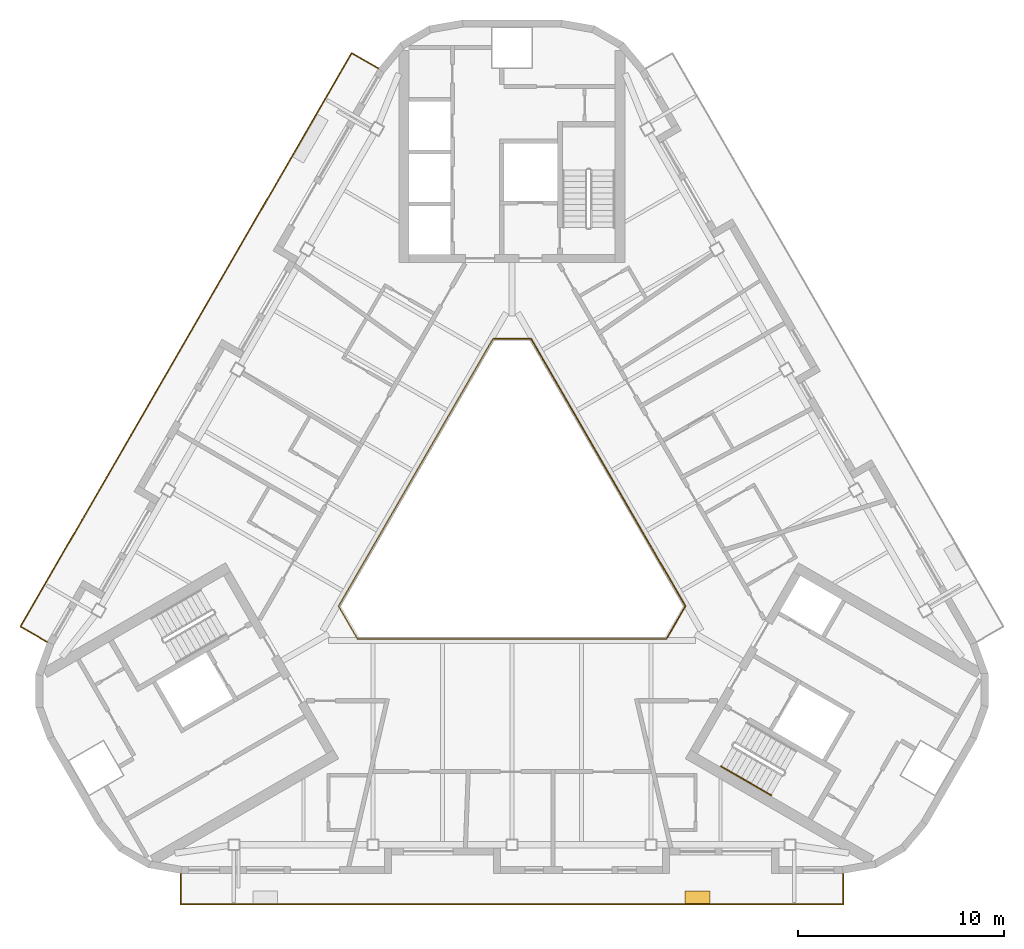
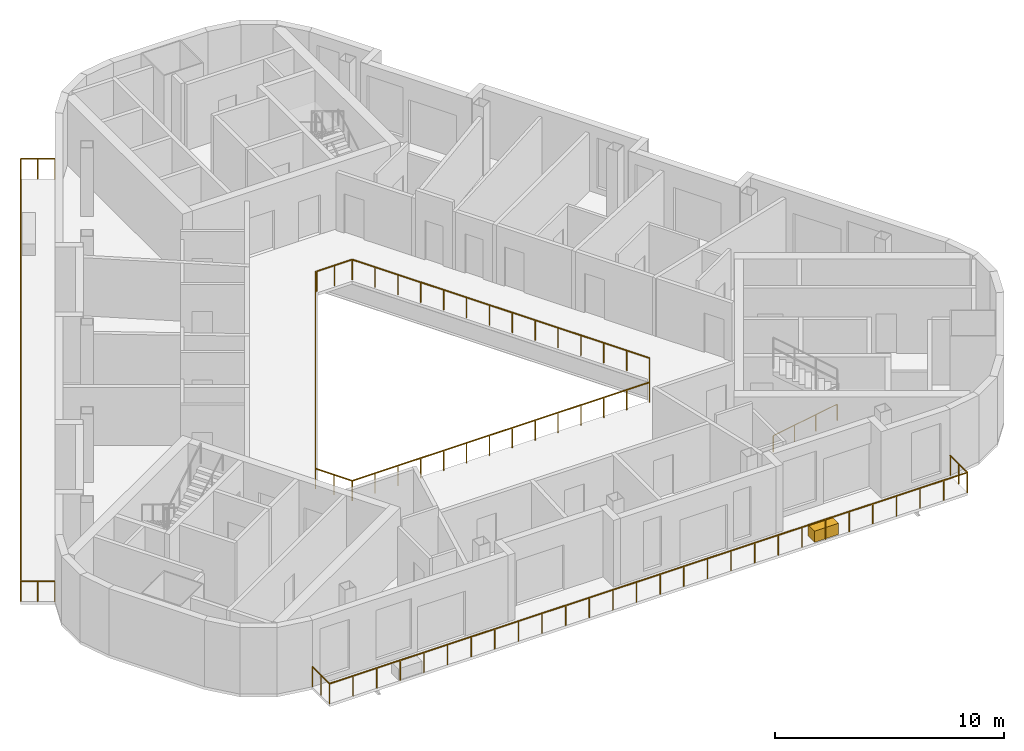
# One storey, part 10 of 12: 5 railings, 1 covering.
"""IFC4 building model written with IfcOpenShell, lengths in metres."""

from ifc_helpers import new_model, si_unit, direction, frame, origin, origin_2d, place, context, subcontext, project, spatial, rectangle, circle, extrude, material, type_object, element, save


model = new_model("IFC4")

# Units and contexts
model_context = context("Model", 3, precision=1e-05, world=origin(), true_north=direction((0.0, 1.0)))
body_context = subcontext(model_context, "Body", "Model", "MODEL_VIEW")
ifc_project = project(units=[si_unit("LENGTHUNIT", "METRE"), si_unit("AREAUNIT", "SQUARE_METRE"), si_unit("VOLUMEUNIT", "CUBIC_METRE"), si_unit("PLANEANGLEUNIT", "RADIAN"), si_unit("MASSUNIT", "GRAM", prefix="KILO")], contexts=[model_context])

# Site, building, storey
site_placement = place(None, origin())
site = spatial("IfcSite", under=ifc_project, at=site_placement, CompositionType="ELEMENT")
building_placement = place(site_placement, origin())
building = spatial("IfcBuilding", under=site, at=building_placement, Name="Apuvela Tower Hotel", CompositionType="ELEMENT")
storey_placement = place(building_placement, frame((0.0, 0.0, 305.89990234375)))
storey = spatial("IfcBuildingStorey", under=building, at=storey_placement, Name="L76", CompositionType="ELEMENT", Elevation=305.89990234375)

# Railings
ifc_material_1 = material(Name="Stainless steel 316 handrail", Category="steel")
railing_type_1 = type_object("IfcRailingType", Name="COR-HANDRAIL-900", PredefinedType="HANDRAIL", material=ifc_material_1)
railing_1_placement = place(storey_placement, frame((10.1689453125, -11.5869140625, 0.168212890625)))
element("IfcRailing", 1, at=railing_1_placement, inside=storey, type_object=railing_type_1, Name="L76 ST3 stair handrail 1", PredefinedType="HANDRAIL", context=body_context, shape_type="SweptSolid", body=[
    extrude(circle(Radius=0.02392578125, at=origin_2d()), frame((0.0, 0.0, 0.8759765625), z_axis=(0.742390482028, -0.42860119049, 0.514934356695), x_axis=(0.49998411664, 0.866034573852, 0.0)), (0.0, 0.0, 1.0), 3.26611328125),
    extrude(rectangle(XDim=0.0419921875, YDim=0.0419921875, at=origin_2d()), origin(), (0.0, 0.0, 1.0), 0.851806640625),
    extrude(rectangle(XDim=0.0419921875, YDim=0.0419921875, at=origin_2d()), frame((0.808349609375, -0.466552734375, 0.560546875)), (0.0, 0.0, 1.0), 0.851806640625),
    extrude(rectangle(XDim=0.0419921875, YDim=0.0419921875, at=origin_2d()), frame((1.616455078125, -0.933349609375, 1.121337890625)), (0.0, 0.0, 1.0), 0.851806640625),
    extrude(rectangle(XDim=0.0419921875, YDim=0.0419921875, at=origin_2d()), frame((2.4248046875, -1.39990234375, 1.681884765625)), (0.0, 0.0, 1.0), 0.851806640625),
])
ifc_material_2 = material(Name="Stainless steel 316 rail with laminated glass infill", Category="steel")
railing_type_2 = type_object("IfcRailingType", Name="ENV-GUARD-1100", PredefinedType="GUARDRAIL", material=ifc_material_2)
railing_2_placement = place(storey_placement, frame((-16.097900390625, -16.794677734375, 0.0)))
element("IfcRailing", 2, at=railing_2_placement, inside=storey, type_object=railing_type_2, Name="Balcony guard S L76", PredefinedType="GUARDRAIL", context=body_context, shape_type="SweptSolid", body=[
    extrude(rectangle(XDim=0.050048828125, YDim=0.050048828125, at=origin_2d()), frame((0.0, 0.0, 1.0751953125), z_axis=(0.0, -1.0, 0.0), x_axis=(1.0, 0.0, 0.0)), (0.0, 0.0, 1.0), 1.5),
    extrude(rectangle(XDim=0.050048828125, YDim=0.050048828125, at=origin_2d()), frame((0.0, -1.5, 1.0751953125), z_axis=(1.0, 0.0, 0.0), x_axis=(0.0, 1.0, 0.0)), (0.0, 0.0, 1.0), 32.19580078125),
    extrude(rectangle(XDim=0.050048828125, YDim=0.050048828125, at=origin_2d()), frame((32.19580078125, -1.5, 1.0751953125), z_axis=(0.0, 1.0, 0.0), x_axis=(-1.0, 0.0, 0.0)), (0.0, 0.0, 1.0), 1.5),
    extrude(rectangle(XDim=0.0400390625, YDim=0.0400390625, at=origin_2d()), origin(), (0.0, 0.0, 1.0), 1.050048828125),
    extrude(rectangle(XDim=0.0400390625, YDim=0.0400390625, at=origin_2d()), frame((0.0, -0.75, 0.0)), (0.0, 0.0, 1.0), 1.050048828125),
    extrude(rectangle(XDim=0.0400390625, YDim=0.0400390625, at=origin_2d()), frame((0.0, -1.5, 0.0)), (0.0, 0.0, 1.0), 1.050048828125),
    extrude(rectangle(XDim=0.0400390625, YDim=0.0400390625, at=origin_2d()), frame((1.1923828125, -1.5, 0.0)), (0.0, 0.0, 1.0), 1.050048828125),
    extrude(rectangle(XDim=0.0400390625, YDim=0.0400390625, at=origin_2d()), frame((2.384765625, -1.5, 0.0)), (0.0, 0.0, 1.0), 1.050048828125),
    extrude(rectangle(XDim=0.0400390625, YDim=0.0400390625, at=origin_2d()), frame((3.577392578125, -1.5, 0.0)), (0.0, 0.0, 1.0), 1.050048828125),
    extrude(rectangle(XDim=0.0400390625, YDim=0.0400390625, at=origin_2d()), frame((4.769775390625, -1.5, 0.0)), (0.0, 0.0, 1.0), 1.050048828125),
    extrude(rectangle(XDim=0.0400390625, YDim=0.0400390625, at=origin_2d()), frame((5.962158203125, -1.5, 0.0)), (0.0, 0.0, 1.0), 1.050048828125),
    extrude(rectangle(XDim=0.0400390625, YDim=0.0400390625, at=origin_2d()), frame((7.154541015625, -1.5, 0.0)), (0.0, 0.0, 1.0), 1.050048828125),
    extrude(rectangle(XDim=0.0400390625, YDim=0.0400390625, at=origin_2d()), frame((8.34716796875, -1.5, 0.0)), (0.0, 0.0, 1.0), 1.050048828125),
    extrude(rectangle(XDim=0.0400390625, YDim=0.0400390625, at=origin_2d()), frame((9.53955078125, -1.5, 0.0)), (0.0, 0.0, 1.0), 1.050048828125),
    extrude(rectangle(XDim=0.0400390625, YDim=0.0400390625, at=origin_2d()), frame((10.73193359375, -1.5, 0.0)), (0.0, 0.0, 1.0), 1.050048828125),
    extrude(rectangle(XDim=0.0400390625, YDim=0.0400390625, at=origin_2d()), frame((11.92431640625, -1.5, 0.0)), (0.0, 0.0, 1.0), 1.050048828125),
    extrude(rectangle(XDim=0.0400390625, YDim=0.0400390625, at=origin_2d()), frame((13.11669921875, -1.5, 0.0)), (0.0, 0.0, 1.0), 1.050048828125),
    extrude(rectangle(XDim=0.0400390625, YDim=0.0400390625, at=origin_2d()), frame((14.309326171875, -1.5, 0.0)), (0.0, 0.0, 1.0), 1.050048828125),
    extrude(rectangle(XDim=0.0400390625, YDim=0.0400390625, at=origin_2d()), frame((15.501708984375, -1.5, 0.0)), (0.0, 0.0, 1.0), 1.050048828125),
    extrude(rectangle(XDim=0.0400390625, YDim=0.0400390625, at=origin_2d()), frame((16.694091796875, -1.5, 0.0)), (0.0, 0.0, 1.0), 1.050048828125),
    extrude(rectangle(XDim=0.0400390625, YDim=0.0400390625, at=origin_2d()), frame((17.886474609375, -1.5, 0.0)), (0.0, 0.0, 1.0), 1.050048828125),
    extrude(rectangle(XDim=0.0400390625, YDim=0.0400390625, at=origin_2d()), frame((19.0791015625, -1.5, 0.0)), (0.0, 0.0, 1.0), 1.050048828125),
    extrude(rectangle(XDim=0.0400390625, YDim=0.0400390625, at=origin_2d()), frame((20.271484375, -1.5, 0.0)), (0.0, 0.0, 1.0), 1.050048828125),
    extrude(rectangle(XDim=0.0400390625, YDim=0.0400390625, at=origin_2d()), frame((21.4638671875, -1.5, 0.0)), (0.0, 0.0, 1.0), 1.050048828125),
    extrude(rectangle(XDim=0.0400390625, YDim=0.0400390625, at=origin_2d()), frame((22.65625, -1.5, 0.0)), (0.0, 0.0, 1.0), 1.050048828125),
    extrude(rectangle(XDim=0.0400390625, YDim=0.0400390625, at=origin_2d()), frame((23.8486328125, -1.5, 0.0)), (0.0, 0.0, 1.0), 1.050048828125),
    extrude(rectangle(XDim=0.0400390625, YDim=0.0400390625, at=origin_2d()), frame((25.041259765625, -1.5, 0.0)), (0.0, 0.0, 1.0), 1.050048828125),
    extrude(rectangle(XDim=0.0400390625, YDim=0.0400390625, at=origin_2d()), frame((26.233642578125, -1.5, 0.0)), (0.0, 0.0, 1.0), 1.050048828125),
    extrude(rectangle(XDim=0.0400390625, YDim=0.0400390625, at=origin_2d()), frame((27.426025390625, -1.5, 0.0)), (0.0, 0.0, 1.0), 1.050048828125),
    extrude(rectangle(XDim=0.0400390625, YDim=0.0400390625, at=origin_2d()), frame((28.618408203125, -1.5, 0.0)), (0.0, 0.0, 1.0), 1.050048828125),
    extrude(rectangle(XDim=0.0400390625, YDim=0.0400390625, at=origin_2d()), frame((29.81103515625, -1.5, 0.0)), (0.0, 0.0, 1.0), 1.050048828125),
    extrude(rectangle(XDim=0.0400390625, YDim=0.0400390625, at=origin_2d()), frame((31.00341796875, -1.5, 0.0)), (0.0, 0.0, 1.0), 1.050048828125),
    extrude(rectangle(XDim=0.0400390625, YDim=0.0400390625, at=origin_2d()), frame((32.19580078125, -1.5, 0.0)), (0.0, 0.0, 1.0), 1.050048828125),
    extrude(rectangle(XDim=0.0400390625, YDim=0.0400390625, at=origin_2d()), frame((32.19580078125, -0.75, 0.0)), (0.0, 0.0, 1.0), 1.050048828125),
    extrude(rectangle(XDim=0.0400390625, YDim=0.0400390625, at=origin_2d()), frame((32.19580078125, 0.0, 0.0)), (0.0, 0.0, 1.0), 1.050048828125),
])
railing_3_placement = place(storey_placement, frame((-6.49560546875, 22.338623046875, 0.0)))
element("IfcRailing", 3, at=railing_3_placement, inside=storey, type_object=railing_type_2, Name="Balcony guard NW L76", PredefinedType="GUARDRAIL", context=body_context, shape_type="SweptSolid", body=[
    extrude(rectangle(XDim=0.050048828125, YDim=0.050048828125, at=origin_2d()), frame((0.0, 0.0, 1.0751953125), z_axis=(-0.86599040064, 0.500060622324, 0.0), x_axis=(-0.500060622324, -0.86599040064, 0.0)), (0.0, 0.0, 1.0), 1.499755859375),
    extrude(rectangle(XDim=0.050048828125, YDim=0.050048828125, at=origin_2d()), frame((-1.298828125, 0.75, 1.0751953125), z_axis=(-0.500003172353, -0.866023572218, 0.0), x_axis=(0.866023572218, -0.500003172353, 0.0)), (0.0, 0.0, 1.0), 32.196044921875),
    extrude(rectangle(XDim=0.050048828125, YDim=0.050048828125, at=origin_2d()), frame((-17.39697265625, -27.132568359375, 1.0751953125), z_axis=(0.866031096941, -0.499990139034, 0.0), x_axis=(0.499990139034, 0.866031096941, 0.0)), (0.0, 0.0, 1.0), 1.5),
    extrude(rectangle(XDim=0.0400390625, YDim=0.0400390625, at=origin_2d()), origin(), (0.0, 0.0, 1.0), 1.050048828125),
    extrude(rectangle(XDim=0.0400390625, YDim=0.0400390625, at=origin_2d()), frame((-0.6494140625, 0.375, 0.0)), (0.0, 0.0, 1.0), 1.050048828125),
    extrude(rectangle(XDim=0.0400390625, YDim=0.0400390625, at=origin_2d()), frame((-1.298828125, 0.75, 0.0)), (0.0, 0.0, 1.0), 1.050048828125),
    extrude(rectangle(XDim=0.0400390625, YDim=0.0400390625, at=origin_2d()), frame((-1.89501953125, -0.28271484375, 0.0)), (0.0, 0.0, 1.0), 1.050048828125),
    extrude(rectangle(XDim=0.0400390625, YDim=0.0400390625, at=origin_2d()), frame((-2.4912109375, -1.3154296875, 0.0)), (0.0, 0.0, 1.0), 1.050048828125),
    extrude(rectangle(XDim=0.0400390625, YDim=0.0400390625, at=origin_2d()), frame((-3.08740234375, -2.34814453125, 0.0)), (0.0, 0.0, 1.0), 1.050048828125),
    extrude(rectangle(XDim=0.0400390625, YDim=0.0400390625, at=origin_2d()), frame((-3.683837890625, -3.380859375, 0.0)), (0.0, 0.0, 1.0), 1.050048828125),
    extrude(rectangle(XDim=0.0400390625, YDim=0.0400390625, at=origin_2d()), frame((-4.280029296875, -4.413330078125, 0.0)), (0.0, 0.0, 1.0), 1.050048828125),
    extrude(rectangle(XDim=0.0400390625, YDim=0.0400390625, at=origin_2d()), frame((-4.876220703125, -5.446044921875, 0.0)), (0.0, 0.0, 1.0), 1.050048828125),
    extrude(rectangle(XDim=0.0400390625, YDim=0.0400390625, at=origin_2d()), frame((-5.472412109375, -6.478759765625, 0.0)), (0.0, 0.0, 1.0), 1.050048828125),
    extrude(rectangle(XDim=0.0400390625, YDim=0.0400390625, at=origin_2d()), frame((-6.068603515625, -7.511474609375, 0.0)), (0.0, 0.0, 1.0), 1.050048828125),
    extrude(rectangle(XDim=0.0400390625, YDim=0.0400390625, at=origin_2d()), frame((-6.664794921875, -8.544189453125, 0.0)), (0.0, 0.0, 1.0), 1.050048828125),
    extrude(rectangle(XDim=0.0400390625, YDim=0.0400390625, at=origin_2d()), frame((-7.260986328125, -9.576904296875, 0.0)), (0.0, 0.0, 1.0), 1.050048828125),
    extrude(rectangle(XDim=0.0400390625, YDim=0.0400390625, at=origin_2d()), frame((-7.857421875, -10.609619140625, 0.0)), (0.0, 0.0, 1.0), 1.050048828125),
    extrude(rectangle(XDim=0.0400390625, YDim=0.0400390625, at=origin_2d()), frame((-8.45361328125, -11.642333984375, 0.0)), (0.0, 0.0, 1.0), 1.050048828125),
    extrude(rectangle(XDim=0.0400390625, YDim=0.0400390625, at=origin_2d()), frame((-9.0498046875, -12.675048828125, 0.0)), (0.0, 0.0, 1.0), 1.050048828125),
    extrude(rectangle(XDim=0.0400390625, YDim=0.0400390625, at=origin_2d()), frame((-9.64599609375, -13.70751953125, 0.0)), (0.0, 0.0, 1.0), 1.050048828125),
    extrude(rectangle(XDim=0.0400390625, YDim=0.0400390625, at=origin_2d()), frame((-10.2421875, -14.740234375, 0.0)), (0.0, 0.0, 1.0), 1.050048828125),
    extrude(rectangle(XDim=0.0400390625, YDim=0.0400390625, at=origin_2d()), frame((-10.83837890625, -15.77294921875, 0.0)), (0.0, 0.0, 1.0), 1.050048828125),
    extrude(rectangle(XDim=0.0400390625, YDim=0.0400390625, at=origin_2d()), frame((-11.434814453125, -16.8056640625, 0.0)), (0.0, 0.0, 1.0), 1.050048828125),
    extrude(rectangle(XDim=0.0400390625, YDim=0.0400390625, at=origin_2d()), frame((-12.031005859375, -17.83837890625, 0.0)), (0.0, 0.0, 1.0), 1.050048828125),
    extrude(rectangle(XDim=0.0400390625, YDim=0.0400390625, at=origin_2d()), frame((-12.627197265625, -18.87109375, 0.0)), (0.0, 0.0, 1.0), 1.050048828125),
    extrude(rectangle(XDim=0.0400390625, YDim=0.0400390625, at=origin_2d()), frame((-13.223388671875, -19.90380859375, 0.0)), (0.0, 0.0, 1.0), 1.050048828125),
    extrude(rectangle(XDim=0.0400390625, YDim=0.0400390625, at=origin_2d()), frame((-13.819580078125, -20.9365234375, 0.0)), (0.0, 0.0, 1.0), 1.050048828125),
    extrude(rectangle(XDim=0.0400390625, YDim=0.0400390625, at=origin_2d()), frame((-14.415771484375, -21.96923828125, 0.0)), (0.0, 0.0, 1.0), 1.050048828125),
    extrude(rectangle(XDim=0.0400390625, YDim=0.0400390625, at=origin_2d()), frame((-15.011962890625, -23.001708984375, 0.0)), (0.0, 0.0, 1.0), 1.050048828125),
    extrude(rectangle(XDim=0.0400390625, YDim=0.0400390625, at=origin_2d()), frame((-15.6083984375, -24.034423828125, 0.0)), (0.0, 0.0, 1.0), 1.050048828125),
    extrude(rectangle(XDim=0.0400390625, YDim=0.0400390625, at=origin_2d()), frame((-16.20458984375, -25.067138671875, 0.0)), (0.0, 0.0, 1.0), 1.050048828125),
    extrude(rectangle(XDim=0.0400390625, YDim=0.0400390625, at=origin_2d()), frame((-16.80078125, -26.099853515625, 0.0)), (0.0, 0.0, 1.0), 1.050048828125),
    extrude(rectangle(XDim=0.0400390625, YDim=0.0400390625, at=origin_2d()), frame((-17.39697265625, -27.132568359375, 0.0)), (0.0, 0.0, 1.0), 1.050048828125),
    extrude(rectangle(XDim=0.0400390625, YDim=0.0400390625, at=origin_2d()), frame((-16.74755859375, -27.507568359375, 0.0)), (0.0, 0.0, 1.0), 1.050048828125),
    extrude(rectangle(XDim=0.0400390625, YDim=0.0400390625, at=origin_2d()), frame((-16.097900390625, -27.882568359375, 0.0)), (0.0, 0.0, 1.0), 1.050048828125),
])
railing_4_placement = place(storey_placement, frame((-0.923828125, 9.199951171875, 0.0)))
element("IfcRailing", 4, at=railing_4_placement, inside=storey, type_object=railing_type_2, Name="Atrium void guard A L76", PredefinedType="GUARDRAIL", context=body_context, shape_type="SweptSolid", body=[
    extrude(rectangle(XDim=0.050048828125, YDim=0.050048828125, at=origin_2d()), frame((0.0, 0.0, 1.0751953125), z_axis=(-0.499990886379, -0.866030665472, 0.0), x_axis=(0.866030665472, -0.499990886379, 0.0)), (0.0, 0.0, 1.0), 15.010986328125),
    extrude(rectangle(XDim=0.050048828125, YDim=0.050048828125, at=origin_2d()), frame((-7.50537109375, -13.0, 1.0751953125), z_axis=(0.499962699187, -0.866046938348, 0.0), x_axis=(0.866046938348, 0.499962699187, 0.0)), (0.0, 0.0, 1.0), 1.847412109375),
    extrude(rectangle(XDim=0.050048828125, YDim=0.050048828125, at=origin_2d()), frame((-6.581787109375, -14.599853515625, 1.0751953125), z_axis=(1.0, 0.0, 0.0), x_axis=(0.0, 1.0, 0.0)), (0.0, 0.0, 1.0), 15.01123046875),
    extrude(rectangle(XDim=0.0400390625, YDim=0.0400390625, at=origin_2d()), origin(), (0.0, 0.0, 1.0), 1.050048828125),
    extrude(rectangle(XDim=0.0400390625, YDim=0.0400390625, at=origin_2d()), frame((-0.577392578125, -1.0, 0.0)), (0.0, 0.0, 1.0), 1.050048828125),
    extrude(rectangle(XDim=0.0400390625, YDim=0.0400390625, at=origin_2d()), frame((-1.15478515625, -2.0, 0.0)), (0.0, 0.0, 1.0), 1.050048828125),
    extrude(rectangle(XDim=0.0400390625, YDim=0.0400390625, at=origin_2d()), frame((-1.73193359375, -3.0, 0.0)), (0.0, 0.0, 1.0), 1.050048828125),
    extrude(rectangle(XDim=0.0400390625, YDim=0.0400390625, at=origin_2d()), frame((-2.309326171875, -4.0, 0.0)), (0.0, 0.0, 1.0), 1.050048828125),
    extrude(rectangle(XDim=0.0400390625, YDim=0.0400390625, at=origin_2d()), frame((-2.88671875, -5.0, 0.0)), (0.0, 0.0, 1.0), 1.050048828125),
    extrude(rectangle(XDim=0.0400390625, YDim=0.0400390625, at=origin_2d()), frame((-3.464111328125, -6.0, 0.0)), (0.0, 0.0, 1.0), 1.050048828125),
    extrude(rectangle(XDim=0.0400390625, YDim=0.0400390625, at=origin_2d()), frame((-4.041259765625, -7.0, 0.0)), (0.0, 0.0, 1.0), 1.050048828125),
    extrude(rectangle(XDim=0.0400390625, YDim=0.0400390625, at=origin_2d()), frame((-4.61865234375, -8.0, 0.0)), (0.0, 0.0, 1.0), 1.050048828125),
    extrude(rectangle(XDim=0.0400390625, YDim=0.0400390625, at=origin_2d()), frame((-5.196044921875, -9.0, 0.0)), (0.0, 0.0, 1.0), 1.050048828125),
    extrude(rectangle(XDim=0.0400390625, YDim=0.0400390625, at=origin_2d()), frame((-5.7734375, -10.0, 0.0)), (0.0, 0.0, 1.0), 1.050048828125),
    extrude(rectangle(XDim=0.0400390625, YDim=0.0400390625, at=origin_2d()), frame((-6.3505859375, -11.0, 0.0)), (0.0, 0.0, 1.0), 1.050048828125),
    extrude(rectangle(XDim=0.0400390625, YDim=0.0400390625, at=origin_2d()), frame((-6.927978515625, -12.0, 0.0)), (0.0, 0.0, 1.0), 1.050048828125),
    extrude(rectangle(XDim=0.0400390625, YDim=0.0400390625, at=origin_2d()), frame((-7.50537109375, -13.0, 0.0)), (0.0, 0.0, 1.0), 1.050048828125),
    extrude(rectangle(XDim=0.0400390625, YDim=0.0400390625, at=origin_2d()), frame((-7.04345703125, -13.7998046875, 0.0)), (0.0, 0.0, 1.0), 1.050048828125),
    extrude(rectangle(XDim=0.0400390625, YDim=0.0400390625, at=origin_2d()), frame((-6.581787109375, -14.599853515625, 0.0)), (0.0, 0.0, 1.0), 1.050048828125),
    extrude(rectangle(XDim=0.0400390625, YDim=0.0400390625, at=origin_2d()), frame((-5.427001953125, -14.599853515625, 0.0)), (0.0, 0.0, 1.0), 1.050048828125),
    extrude(rectangle(XDim=0.0400390625, YDim=0.0400390625, at=origin_2d()), frame((-4.2724609375, -14.599853515625, 0.0)), (0.0, 0.0, 1.0), 1.050048828125),
    extrude(rectangle(XDim=0.0400390625, YDim=0.0400390625, at=origin_2d()), frame((-3.11767578125, -14.599853515625, 0.0)), (0.0, 0.0, 1.0), 1.050048828125),
    extrude(rectangle(XDim=0.0400390625, YDim=0.0400390625, at=origin_2d()), frame((-1.962890625, -14.599853515625, 0.0)), (0.0, 0.0, 1.0), 1.050048828125),
    extrude(rectangle(XDim=0.0400390625, YDim=0.0400390625, at=origin_2d()), frame((-0.808349609375, -14.599853515625, 0.0)), (0.0, 0.0, 1.0), 1.050048828125),
    extrude(rectangle(XDim=0.0400390625, YDim=0.0400390625, at=origin_2d()), frame((0.346435546875, -14.599853515625, 0.0)), (0.0, 0.0, 1.0), 1.050048828125),
    extrude(rectangle(XDim=0.0400390625, YDim=0.0400390625, at=origin_2d()), frame((1.501220703125, -14.599853515625, 0.0)), (0.0, 0.0, 1.0), 1.050048828125),
    extrude(rectangle(XDim=0.0400390625, YDim=0.0400390625, at=origin_2d()), frame((2.656005859375, -14.599853515625, 0.0)), (0.0, 0.0, 1.0), 1.050048828125),
    extrude(rectangle(XDim=0.0400390625, YDim=0.0400390625, at=origin_2d()), frame((3.810546875, -14.599853515625, 0.0)), (0.0, 0.0, 1.0), 1.050048828125),
    extrude(rectangle(XDim=0.0400390625, YDim=0.0400390625, at=origin_2d()), frame((4.96533203125, -14.599853515625, 0.0)), (0.0, 0.0, 1.0), 1.050048828125),
    extrude(rectangle(XDim=0.0400390625, YDim=0.0400390625, at=origin_2d()), frame((6.1201171875, -14.599853515625, 0.0)), (0.0, 0.0, 1.0), 1.050048828125),
    extrude(rectangle(XDim=0.0400390625, YDim=0.0400390625, at=origin_2d()), frame((7.274658203125, -14.599853515625, 0.0)), (0.0, 0.0, 1.0), 1.050048828125),
    extrude(rectangle(XDim=0.0400390625, YDim=0.0400390625, at=origin_2d()), frame((8.429443359375, -14.599853515625, 0.0)), (0.0, 0.0, 1.0), 1.050048828125),
])
railing_5_placement = place(storey_placement, frame((7.53564453125, -5.347900390625, 0.0)))
element("IfcRailing", 5, at=railing_5_placement, inside=storey, type_object=railing_type_2, Name="Atrium void guard B L76", PredefinedType="GUARDRAIL", context=body_context, shape_type="SweptSolid", body=[
    extrude(rectangle(XDim=0.050048828125, YDim=0.050048828125, at=origin_2d()), frame((0.0, 0.0, 1.0751953125), z_axis=(0.499958946799, 0.866049104564, 0.0), x_axis=(-0.866049104564, 0.499958946799, 0.0)), (0.0, 0.0, 1.0), 1.787353515625),
    extrude(rectangle(XDim=0.050048828125, YDim=0.050048828125, at=origin_2d()), frame((0.8935546875, 1.5478515625, 1.0751953125), z_axis=(-0.499990886379, 0.866030665472, 0.0), x_axis=(-0.866030665472, -0.499990886379, 0.0)), (0.0, 0.0, 1.0), 15.010986328125),
    extrude(rectangle(XDim=0.050048828125, YDim=0.050048828125, at=origin_2d()), frame((-6.61181640625, 14.5478515625, 1.0751953125), z_axis=(-1.0, 0.0, 0.0), x_axis=(0.0, -1.0, 0.0)), (0.0, 0.0, 1.0), 1.78759765625),
    extrude(rectangle(XDim=0.0400390625, YDim=0.0400390625, at=origin_2d()), origin(), (0.0, 0.0, 1.0), 1.050048828125),
    extrude(rectangle(XDim=0.0400390625, YDim=0.0400390625, at=origin_2d()), frame((0.44677734375, 0.77392578125, 0.0)), (0.0, 0.0, 1.0), 1.050048828125),
    extrude(rectangle(XDim=0.0400390625, YDim=0.0400390625, at=origin_2d()), frame((0.8935546875, 1.5478515625, 0.0)), (0.0, 0.0, 1.0), 1.050048828125),
    extrude(rectangle(XDim=0.0400390625, YDim=0.0400390625, at=origin_2d()), frame((0.316162109375, 2.5478515625, 0.0)), (0.0, 0.0, 1.0), 1.050048828125),
    extrude(rectangle(XDim=0.0400390625, YDim=0.0400390625, at=origin_2d()), frame((-0.26123046875, 3.5478515625, 0.0)), (0.0, 0.0, 1.0), 1.050048828125),
    extrude(rectangle(XDim=0.0400390625, YDim=0.0400390625, at=origin_2d()), frame((-0.83837890625, 4.5478515625, 0.0)), (0.0, 0.0, 1.0), 1.050048828125),
    extrude(rectangle(XDim=0.0400390625, YDim=0.0400390625, at=origin_2d()), frame((-1.415771484375, 5.5478515625, 0.0)), (0.0, 0.0, 1.0), 1.050048828125),
    extrude(rectangle(XDim=0.0400390625, YDim=0.0400390625, at=origin_2d()), frame((-1.9931640625, 6.5478515625, 0.0)), (0.0, 0.0, 1.0), 1.050048828125),
    extrude(rectangle(XDim=0.0400390625, YDim=0.0400390625, at=origin_2d()), frame((-2.570556640625, 7.5478515625, 0.0)), (0.0, 0.0, 1.0), 1.050048828125),
    extrude(rectangle(XDim=0.0400390625, YDim=0.0400390625, at=origin_2d()), frame((-3.147705078125, 8.5478515625, 0.0)), (0.0, 0.0, 1.0), 1.050048828125),
    extrude(rectangle(XDim=0.0400390625, YDim=0.0400390625, at=origin_2d()), frame((-3.72509765625, 9.5478515625, 0.0)), (0.0, 0.0, 1.0), 1.050048828125),
    extrude(rectangle(XDim=0.0400390625, YDim=0.0400390625, at=origin_2d()), frame((-4.302490234375, 10.5478515625, 0.0)), (0.0, 0.0, 1.0), 1.050048828125),
    extrude(rectangle(XDim=0.0400390625, YDim=0.0400390625, at=origin_2d()), frame((-4.8798828125, 11.5478515625, 0.0)), (0.0, 0.0, 1.0), 1.050048828125),
    extrude(rectangle(XDim=0.0400390625, YDim=0.0400390625, at=origin_2d()), frame((-5.45703125, 12.5478515625, 0.0)), (0.0, 0.0, 1.0), 1.050048828125),
    extrude(rectangle(XDim=0.0400390625, YDim=0.0400390625, at=origin_2d()), frame((-6.034423828125, 13.5478515625, 0.0)), (0.0, 0.0, 1.0), 1.050048828125),
    extrude(rectangle(XDim=0.0400390625, YDim=0.0400390625, at=origin_2d()), frame((-6.61181640625, 14.5478515625, 0.0)), (0.0, 0.0, 1.0), 1.050048828125),
    extrude(rectangle(XDim=0.0400390625, YDim=0.0400390625, at=origin_2d()), frame((-7.505615234375, 14.5478515625, 0.0)), (0.0, 0.0, 1.0), 1.050048828125),
    extrude(rectangle(XDim=0.0400390625, YDim=0.0400390625, at=origin_2d()), frame((-8.3994140625, 14.5478515625, 0.0)), (0.0, 0.0, 1.0), 1.050048828125),
])

# Covering
ifc_material_3 = material(Name="Planting substrate and soil, planted")
covering_type = type_object("IfcCoveringType", Name="ENV-PLANTER-1200x600", PredefinedType="USERDEFINED", material=ifc_material_3)
covering_placement = place(storey_placement, frame((9.020263671875, -17.944580078125, 0.0), z_axis=(0.0, 0.0, 1.0), x_axis=(1.0, 0.0, 0.0)))
element("IfcCovering", 6, at=covering_placement, inside=storey, type_object=covering_type, Name="Planter S2", ObjectType="PLANTER", PredefinedType="USERDEFINED", context=body_context, shape_type="SweptSolid", body=[
    extrude(rectangle(XDim=1.199951171875, YDim=0.60009765625, at=origin_2d()), origin(), (0.0, 0.0, 1.0), 0.60009765625),
])

save(model, "model.ifc")
